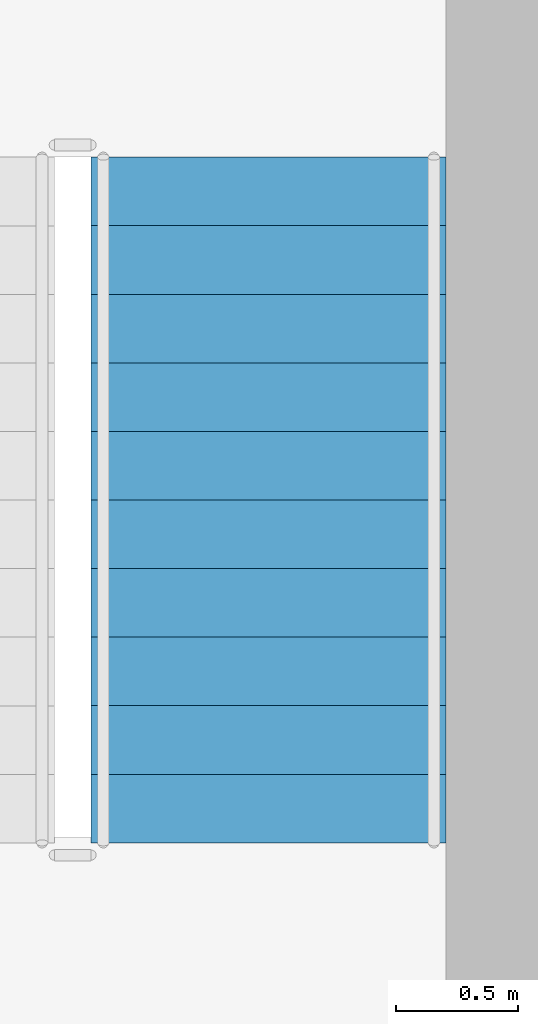
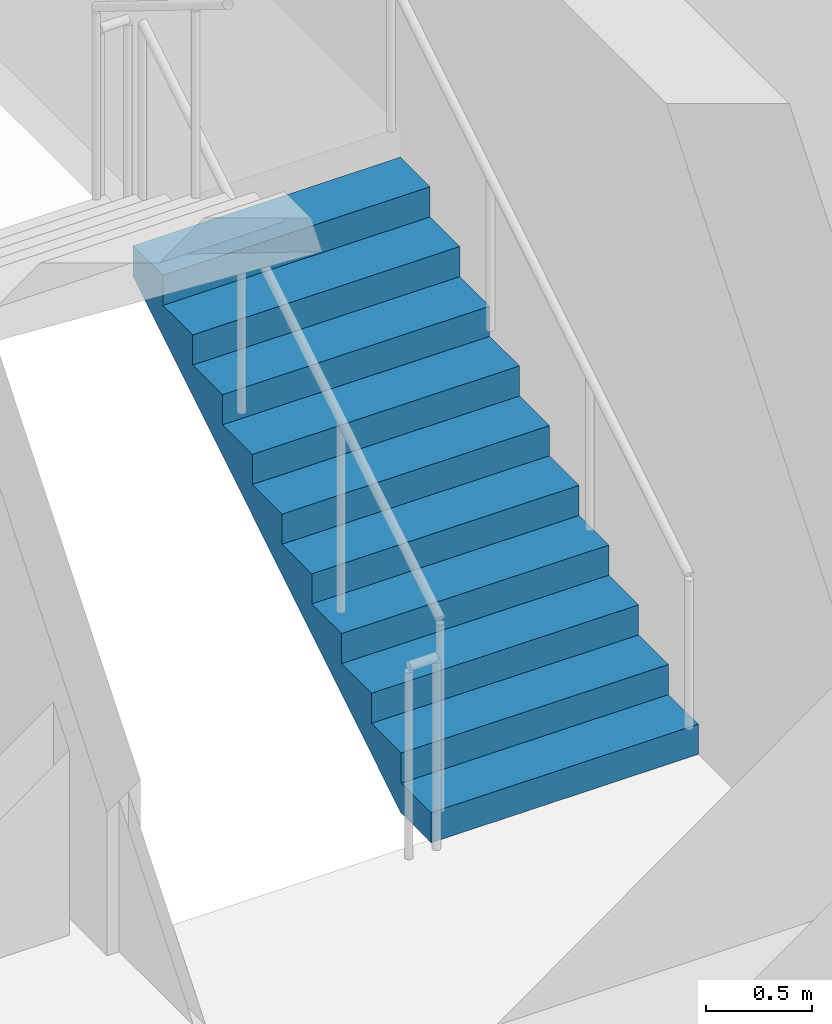
# One storey, part 32 of 35: 1 stair flight, 1 element without a shape of its own.
"""IFC4 building model written with IfcOpenShell, lengths in metres."""

from ifc_helpers import new_model, si_unit, direction, frame, origin, place, context, subcontext, project, spatial, polyline, outline, extrude, material, type_object, element, aggregate, save


model = new_model("IFC4")

# Units and contexts
model_context = context("Model", 3, precision=1e-05, world=origin(), true_north=direction((0.0, 1.0)))
body_context = subcontext(model_context, "Body", "Model", "MODEL_VIEW")
ifc_project = project(units=[si_unit("LENGTHUNIT", "METRE"), si_unit("AREAUNIT", "SQUARE_METRE"), si_unit("VOLUMEUNIT", "CUBIC_METRE"), si_unit("PLANEANGLEUNIT", "RADIAN"), si_unit("MASSUNIT", "GRAM", prefix="KILO")], contexts=[model_context])

# Site, building, storey
site_placement = place(None, origin())
site = spatial("IfcSite", under=ifc_project, at=site_placement, CompositionType="ELEMENT")
building_placement = place(site_placement, origin())
building = spatial("IfcBuilding", under=site, at=building_placement, Name="Saevonmaru Cultural Tower", CompositionType="ELEMENT")
storey_placement = place(building_placement, frame((0.0, 0.0, 175.199951171875)))
storey = spatial("IfcBuildingStorey", under=building, at=storey_placement, Name="L39", CompositionType="ELEMENT", Elevation=175.199951171875)

# Stair, stair flight
ifc_material_1 = material(Name="Concrete C40/50", Category="concrete")
stair_type = type_object("IfcStairType", Name="STR-DOGLEG-RC", PredefinedType="HALF_TURN_STAIR", material=ifc_material_1)
stair_placement = place(storey_placement, origin())
stair = element("IfcStair", 1, at=stair_placement, inside=storey, type_object=stair_type, Name="L39 Protected exit stair ST-2", PredefinedType="HALF_TURN_STAIR")
ifc_material_2 = material(Name="Precast concrete C40/50", Category="concrete")
stair_flight_type = type_object("IfcStairFlightType", Name="STF-PRECAST-180", PredefinedType="STRAIGHT", material=ifc_material_2)
stair_flight_placement = place(storey_placement, frame((45.074951171875, 44.85009765625, 0.0), z_axis=(0.0, 0.0, 1.0), x_axis=(0.0, 1.0, 0.0)))
stair_flight = element("IfcStairFlight", 2, at=stair_flight_placement, type_object=stair_flight_type, Name="ST-2-L39 flight 1", NumberOfRisers=11, NumberOfTreads=10, PredefinedType="STRAIGHT", RiserHeight=0.172727273, TreadLength=0.28, context=body_context, shape_type="SweptSolid", body=[
    extrude(outline(polyline([(0.0, 0.0), (0.0, 0.172607421875), (0.280029296875, 0.172607421875), (0.280029296875, 0.345458984375), (0.56005859375, 0.345458984375), (0.56005859375, 0.51806640625), (0.840087890625, 0.51806640625), (0.840087890625, 0.69091796875), (1.1201171875, 0.69091796875), (1.1201171875, 0.863525390625), (1.39990234375, 0.863525390625), (1.39990234375, 1.036376953125), (1.679931640625, 1.036376953125), (1.679931640625, 1.208984375), (1.9599609375, 1.208984375), (1.9599609375, 1.3818359375), (2.239990234375, 1.3818359375), (2.239990234375, 1.554443359375), (2.52001953125, 1.554443359375), (2.52001953125, 1.727294921875), (2.800048828125, 1.727294921875), (2.800048828125, 1.89990234375), (2.800048828125, 1.551025390625), (0.285400390625, 0.0), (0.0, 0.0)])), frame((0.0, 0.72509765625, 0.0), z_axis=(0.0, -1.0, 0.0), x_axis=(1.0, 0.0, 0.0)), (0.0, 0.0, 1.0), 1.449951171875),
])
aggregate(stair, [stair_flight])

save(model, "model.ifc")
